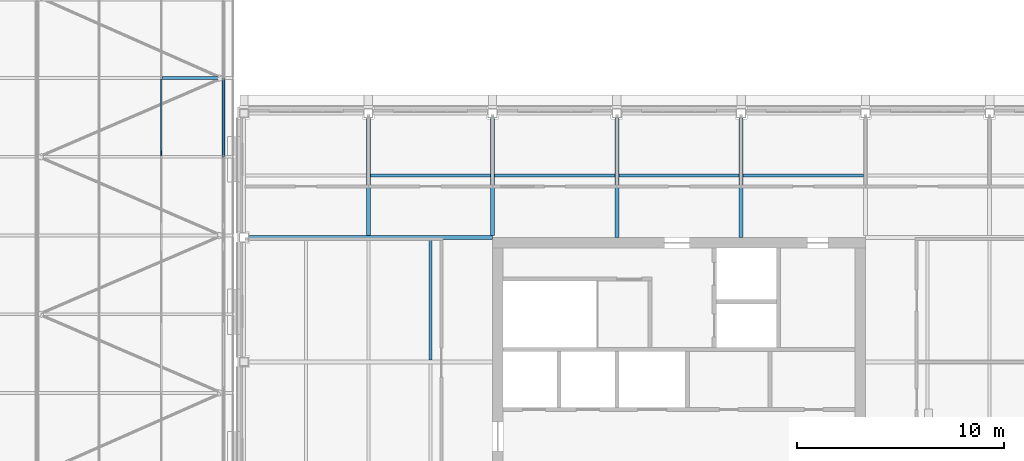
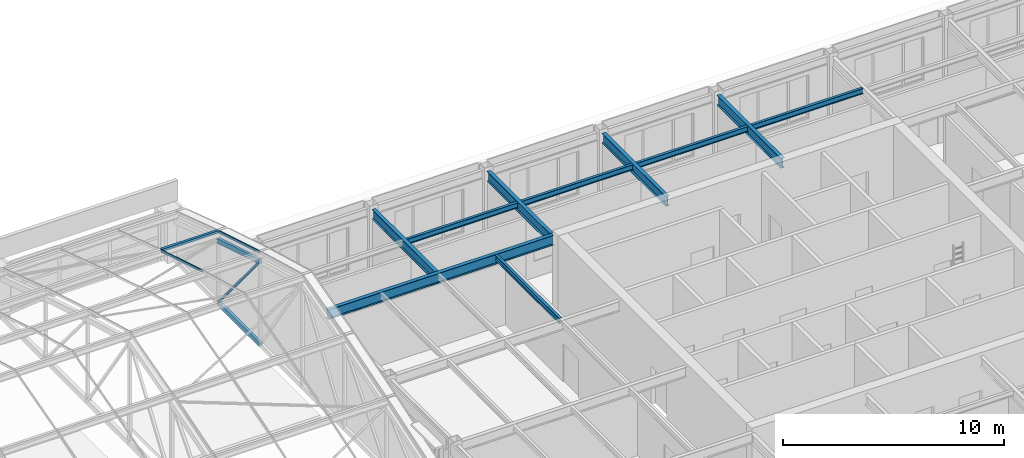
# One storey, part 42 of 82: 10 beams, 6 members, 1 element without a shape of its own.
"""IFC4 building model written with IfcOpenShell, lengths in metres."""

from ifc_helpers import new_model, si_unit, direction, frame, origin, origin_2d, place, context, subcontext, project, spatial, rectangle, hollow_rectangle, i_section, extrude, material, material_profile, profile_set, type_object, element, aggregate, save


model = new_model("IFC4")

# Units and contexts
model_context = context("Model", 3, precision=1e-05, world=origin(), true_north=direction((0.0, 1.0)))
body_context = subcontext(model_context, "Body", "Model", "MODEL_VIEW")
ifc_project = project(units=[si_unit("LENGTHUNIT", "METRE"), si_unit("AREAUNIT", "SQUARE_METRE"), si_unit("VOLUMEUNIT", "CUBIC_METRE"), si_unit("PLANEANGLEUNIT", "RADIAN"), si_unit("MASSUNIT", "GRAM", prefix="KILO")], contexts=[model_context])

# Site, building, storey
site_placement = place(None, origin())
site = spatial("IfcSite", under=ifc_project, at=site_placement, CompositionType="ELEMENT")
building_placement = place(site_placement, origin())
building = spatial("IfcBuilding", under=site, at=building_placement, Name="Aravalli Gate Trade Fair Centre", CompositionType="ELEMENT")
storey_placement = place(building_placement, frame((0.0, 0.0, 19.199951171875)))
storey = spatial("IfcBuildingStorey", under=building, at=storey_placement, Name="L04", CompositionType="ELEMENT", Elevation=19.199951171875)

# Members
ifc_material_1 = material(Name="Steel E350", Category="steel")
ifc_material_profile_1 = material_profile(ifc_material_1, hollow_rectangle(XDim=0.14990234375, YDim=0.25, WallThickness=0.010009765625, at=origin_2d()), Name="RHS 250x150x10")
ifc_profile_set_1 = profile_set([ifc_material_profile_1], Name="Steel E350")
member_type_1 = type_object("IfcMemberType", Name="RHS 250x150x10 CT2 truss chord", PredefinedType="CHORD", material=ifc_profile_set_1)
member_1_placement = place(storey_placement, frame((159.0, 124.89990234375, 4.699462890625), z_axis=(0.0, 0.957138110877, -0.289631898634), x_axis=(-1.0, 0.0, 0.0)))
element("IfcMember", 1, at=member_1_placement, inside=storey, type_object=member_type_1, Name="Concourse vault truss CT2 line E top chord T5", PredefinedType="CHORD", context=body_context, shape_type="SweptSolid", body=[
    extrude(hollow_rectangle(XDim=0.14990234375, YDim=0.25, WallThickness=0.010009765625, at=origin_2d()), origin(), (0.0, 0.0, 1.0), 3.97021484375),
])
member_2_placement = place(storey_placement, frame((159.0, 124.89990234375, 0.125), z_axis=(0.0, 1.0, 0.0), x_axis=(-1.0, 0.0, 0.0)))
element("IfcMember", 2, at=member_2_placement, inside=storey, type_object=member_type_1, Name="Concourse vault truss CT2 line E bottom chord B5", PredefinedType="CHORD", context=body_context, shape_type="SweptSolid", body=[
    extrude(hollow_rectangle(XDim=0.14990234375, YDim=0.25, WallThickness=0.010009765625, at=origin_2d()), origin(), (0.0, 0.0, 1.0), 3.800048828125),
])
ifc_material_profile_2 = material_profile(ifc_material_1, hollow_rectangle(XDim=0.10009765625, YDim=0.10009765625, WallThickness=0.006103515625, at=origin_2d()), Name="SHS 100x100x6")
ifc_profile_set_2 = profile_set([ifc_material_profile_2], Name="Steel E350")
member_type_2 = type_object("IfcMemberType", Name="SHS 100x100x6 CT2 truss diagonal", PredefinedType="BRACE", material=ifc_profile_set_2)
member_3_placement = place(storey_placement, frame((159.0, 125.044921875, 4.52490234375), z_axis=(0.0, 0.638999701162, -0.769206982493), x_axis=(-1.0, 0.0, 0.0)))
element("IfcMember", 3, at=member_3_placement, inside=storey, type_object=member_type_2, Name="Concourse vault truss CT2 line E diagonal D5", PredefinedType="BRACE", context=body_context, shape_type="SweptSolid", body=[
    extrude(hollow_rectangle(XDim=0.10009765625, YDim=0.10009765625, WallThickness=0.006103515625, at=origin_2d()), origin(), (0.0, 0.0, 1.0), 5.5576171875),
])
ifc_material_2 = material(Name="Aluminium", Category="aluminium")
ifc_material_profile_3 = material_profile(ifc_material_2, rectangle(XDim=0.139892578125, YDim=0.1201171875, at=origin_2d()), Name="Vault fold cap 140 x 120")
ifc_profile_set_3 = profile_set([ifc_material_profile_3], Name="Aluminium")
member_type_3 = type_object("IfcMemberType", Name="Vault fold cap 140 x 120", PredefinedType="USERDEFINED", material=ifc_profile_set_3)
member_4_placement = place(storey_placement, frame((156.030029296875, 128.699951171875, 4.061279296875), z_axis=(1.0, 0.0, 0.0), x_axis=(0.0, 1.0, 0.0)))
element("IfcMember", 4, at=member_4_placement, inside=storey, type_object=member_type_3, Name="Vault fold cap e19.5", ObjectType="FOLD CAP", PredefinedType="USERDEFINED", context=body_context, shape_type="SweptSolid", body=[
    extrude(rectangle(XDim=0.139892578125, YDim=0.1201171875, at=origin_2d()), origin(), (0.0, 0.0, 1.0), 2.93994140625),
])

# Curtain wall, members
ifc_material_3 = material(Name="Aluminium and glass", Category="aluminium")
curtain_wall_type = type_object("IfcCurtainWallType", Name="Vault curtain wall, sloped glazing", PredefinedType="NOTDEFINED", material=ifc_material_3)
curtain_wall_placement = place(storey_placement, origin())
curtain_wall = element("IfcCurtainWall", 5, at=curtain_wall_placement, inside=storey, type_object=curtain_wall_type, Name="Vault curtain wall e", PredefinedType="NOTDEFINED")
ifc_material_profile_4 = material_profile(ifc_material_2, rectangle(XDim=0.06005859375, YDim=0.1201171875, at=origin_2d()), Name="Vault glazing bar 60 x 120")
ifc_profile_set_4 = profile_set([ifc_material_profile_4], Name="Aluminium")
member_type_4 = type_object("IfcMemberType", Name="Vault glazing bar 60 x 120", PredefinedType="USERDEFINED", material=ifc_profile_set_4)
member_5_placement = place(storey_placement, frame((156.0, 124.969970703125, 5.166259765625), z_axis=(0.0, 0.957125834694, -0.289672464279), x_axis=(-1.0, 0.0, 0.0)))
member_5 = element("IfcMember", 6, at=member_5_placement, type_object=member_type_4, Name="Vault glazing bar e19.5", ObjectType="GLAZING BAR", PredefinedType="USERDEFINED", context=body_context, shape_type="SweptSolid", body=[
    extrude(rectangle(XDim=0.06005859375, YDim=0.1201171875, at=origin_2d()), origin(), (0.0, 0.0, 1.0), 3.823974609375),
])
member_6_placement = place(storey_placement, frame((159.0, 124.969970703125, 5.166259765625), z_axis=(0.0, 0.957125834694, -0.289672464279), x_axis=(-1.0, 0.0, 0.0)))
member_6 = element("IfcMember", 7, at=member_6_placement, type_object=member_type_4, Name="Vault glazing bar e20.5", ObjectType="GLAZING BAR", PredefinedType="USERDEFINED", context=body_context, shape_type="SweptSolid", body=[
    extrude(rectangle(XDim=0.06005859375, YDim=0.1201171875, at=origin_2d()), origin(), (0.0, 0.0, 1.0), 3.823974609375),
])
aggregate(curtain_wall, [member_5, member_6])

# Beams
ifc_material_profile_5 = material_profile(ifc_material_1, i_section(OverallWidth=0.18994140625, OverallDepth=0.550048828125, WebThickness=0.01123046875, FlangeThickness=0.019287109375, at=origin_2d()), Name="ISMB 550")
ifc_profile_set_5 = profile_set([ifc_material_profile_5], Name="Steel E350")
beam_type_1 = type_object("IfcBeamType", Name="Wing core to perimeter girder ISMB 550 (capital and roof)", PredefinedType="BEAM", material=ifc_profile_set_5)
beam_1_placement = place(storey_placement, frame((160.22509765625, 121.0, 3.72509765625), z_axis=(1.0, 0.0, 0.0), x_axis=(0.0, 1.0, 0.0)))
element("IfcBeam", 8, at=beam_1_placement, inside=storey, type_object=beam_type_1, Name="Core to perimeter girder PW3 ROOF LEVEL 1", PredefinedType="BEAM", context=body_context, shape_type="SweptSolid", body=[
    extrude(i_section(OverallWidth=0.18994140625, OverallDepth=0.550048828125, WebThickness=0.01123046875, FlangeThickness=0.019287109375, at=origin_2d()), origin(), (0.0, 0.0, 1.0), 11.77490234375),
])
beam_2_placement = place(storey_placement, frame((172.0, 121.094970703125, 3.72509765625), z_axis=(0.0, 1.0, 0.0), x_axis=(-1.0, 0.0, 0.0)))
element("IfcBeam", 9, at=beam_2_placement, inside=storey, type_object=beam_type_1, Name="Core to perimeter girder PN0a ROOF LEVEL 1", PredefinedType="BEAM", context=body_context, shape_type="SweptSolid", body=[
    extrude(i_section(OverallWidth=0.18994140625, OverallDepth=0.550048828125, WebThickness=0.01123046875, FlangeThickness=0.019287109375, at=origin_2d()), origin(), (0.0, 0.0, 1.0), 5.679931640625),
])
for number, where, z_axis, x_axis, name in (
    (10, (178.0, 121.0, 3.72509765625), (0.0, 1.0, 0.0), (-1.0, 0.0, 0.0), "Core to perimeter girder PN1a ROOF LEVEL 1"),
    (11, (184.0, 121.0, 3.72509765625), (0.0, 1.0, 0.0), (-1.0, 0.0, 0.0), "Core to perimeter girder PN2a ROOF LEVEL 1"),
):
    element("IfcBeam", number, at=place(storey_placement, frame(where, z_axis=z_axis, x_axis=x_axis)), inside=storey, type_object=beam_type_1, Name=name, PredefinedType="BEAM", context=body_context, shape_type="SweptSolid", body=[
        extrude(i_section(OverallWidth=0.18994140625, OverallDepth=0.550048828125, WebThickness=0.01123046875, FlangeThickness=0.019287109375, at=origin_2d()), origin(), (0.0, 0.0, 1.0), 5.77490234375),
    ])
ifc_material_profile_6 = material_profile(ifc_material_1, i_section(OverallWidth=0.18994140625, OverallDepth=0.550048828125, WebThickness=0.01123046875, FlangeThickness=0.019287109375, at=origin_2d()), Name="ISMB 550")
ifc_profile_set_6 = profile_set([ifc_material_profile_6], Name="Steel E350")
beam_type_2 = type_object("IfcBeamType", Name="Wing corner transfer girder ISMB 550 (capital and roof)", PredefinedType="BEAM", material=ifc_profile_set_6)
beam_3_placement = place(storey_placement, frame((166.0, 121.094970703125, 3.72509765625), z_axis=(0.0, 1.0, 0.0), x_axis=(-1.0, 0.0, 0.0)))
element("IfcBeam", 12, at=beam_3_placement, inside=storey, type_object=beam_type_2, Name="Corner transfer girder CNWya ROOF LEVEL 1", PredefinedType="BEAM", context=body_context, shape_type="SweptSolid", body=[
    extrude(i_section(OverallWidth=0.18994140625, OverallDepth=0.550048828125, WebThickness=0.01123046875, FlangeThickness=0.019287109375, at=origin_2d()), origin(), (0.0, 0.0, 1.0), 5.679931640625),
])
ifc_material_profile_7 = material_profile(ifc_material_1, i_section(OverallWidth=0.139892578125, OverallDepth=0.300048828125, WebThickness=0.0078125, FlangeThickness=0.01318359375, at=origin_2d()), Name="ISMB 300")
ifc_profile_set_7 = profile_set([ifc_material_profile_7], Name="Steel E350")
beam_type_3 = type_object("IfcBeamType", Name="Wing secondary beam ISMB 300 (capital and roof)", PredefinedType="BEAM", material=ifc_profile_set_7)
for number, where, z_axis, x_axis, name in (
    (13, (166.094970703125, 124.0, 3.85009765625), (1.0, 0.0, 0.0), (0.0, 1.0, 0.0), "Secondary beam KWN01 ROOF LEVEL 1"),
    (14, (169.0, 115.094970703125, 3.85009765625), (0.0, 1.0, 0.0), (-1.0, 0.0, 0.0), "Secondary beam BW2169 ROOF LEVEL 1"),
    (15, (172.094970703125, 124.0, 3.85009765625), (1.0, 0.0, 0.0), (0.0, 1.0, 0.0), "Secondary beam BN0124 ROOF LEVEL 1"),
    (16, (178.094970703125, 124.0, 3.85009765625), (1.0, 0.0, 0.0), (0.0, 1.0, 0.0), "Secondary beam BN1124 ROOF LEVEL 1"),
    (17, (184.094970703125, 124.0, 3.85009765625), (1.0, 0.0, 0.0), (0.0, 1.0, 0.0), "Secondary beam BN2124 ROOF LEVEL 1"),
):
    element("IfcBeam", number, at=place(storey_placement, frame(where, z_axis=z_axis, x_axis=x_axis)), inside=storey, type_object=beam_type_3, Name=name, PredefinedType="BEAM", context=body_context, shape_type="SweptSolid", body=[
        extrude(i_section(OverallWidth=0.139892578125, OverallDepth=0.300048828125, WebThickness=0.0078125, FlangeThickness=0.01318359375, at=origin_2d()), origin(), (0.0, 0.0, 1.0), 5.81005859375),
    ])

save(model, "model.ifc")
